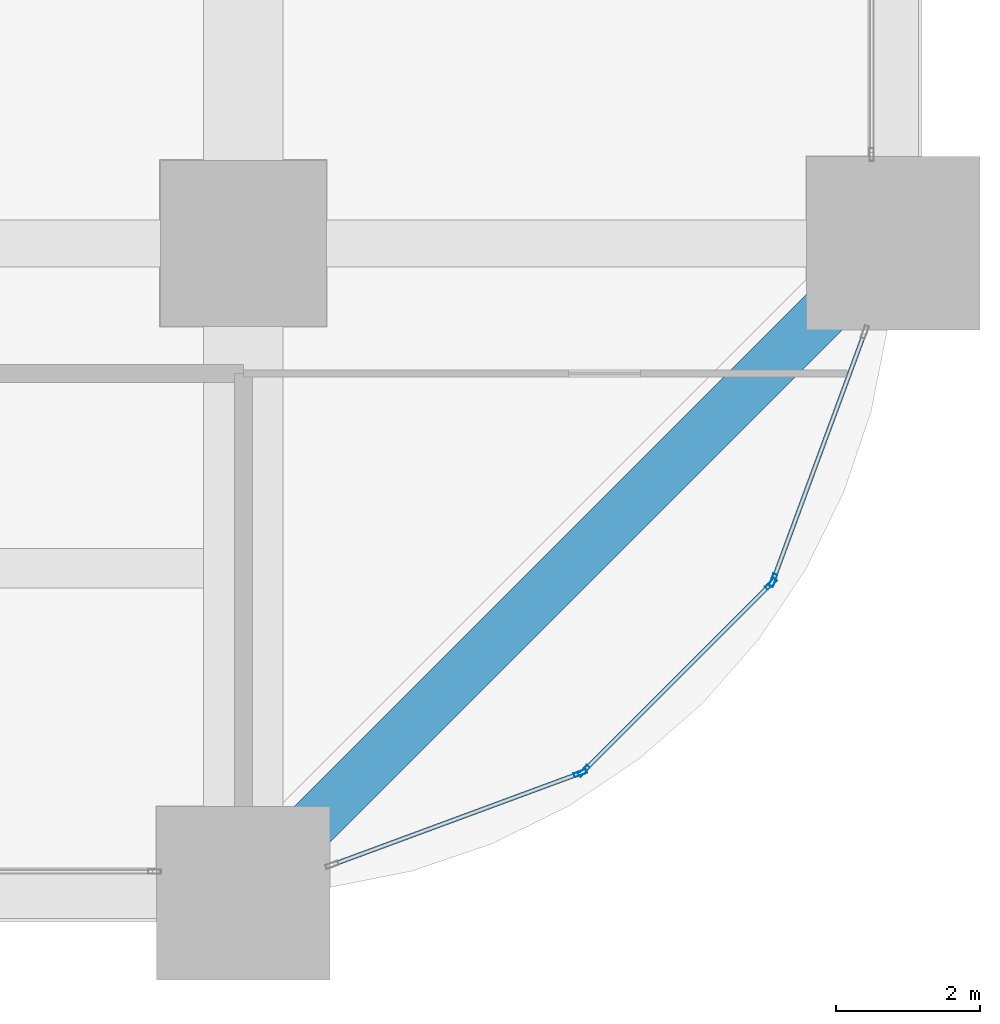
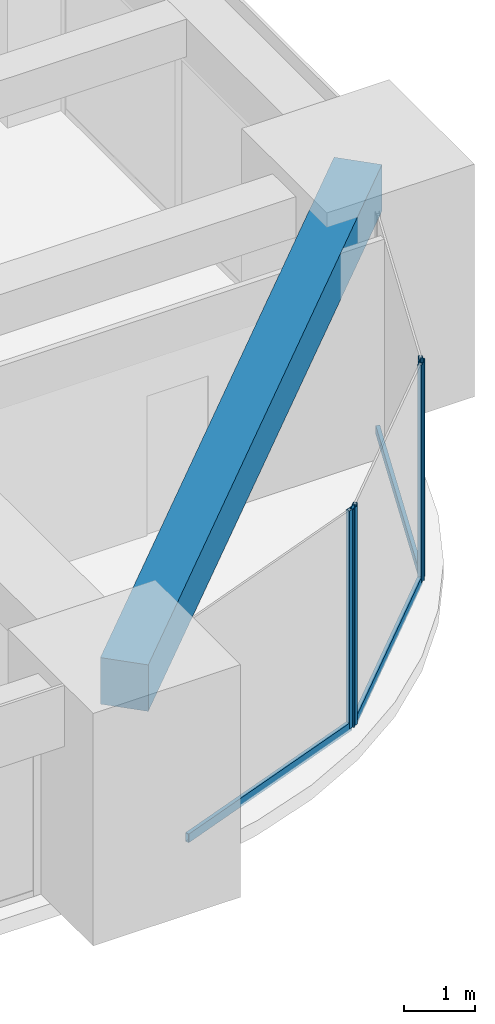
# One storey, part 16 of 44: 7 members, 1 beam, 3 elements without a shape of their own.
"""IFC4 building model written with IfcOpenShell, lengths in metres."""

from ifc_helpers import new_model, si_unit, direction, frame, origin, origin_2d, place, context, subcontext, project, spatial, rectangle, hollow_rectangle, extrude, material, material_profile, profile_set, type_object, element, aggregate, save


model = new_model("IFC4")

# Units and contexts
model_context = context("Model", 3, precision=1e-05, world=origin(), true_north=direction((0.0, 1.0)))
body_context = subcontext(model_context, "Body", "Model", "MODEL_VIEW")
ifc_project = project(units=[si_unit("LENGTHUNIT", "METRE"), si_unit("AREAUNIT", "SQUARE_METRE"), si_unit("VOLUMEUNIT", "CUBIC_METRE"), si_unit("PLANEANGLEUNIT", "RADIAN"), si_unit("MASSUNIT", "GRAM", prefix="KILO")], contexts=[model_context])

# Site, building, storey
site_placement = place(None, origin())
site = spatial("IfcSite", under=ifc_project, at=site_placement, CompositionType="ELEMENT")
building_placement = place(site_placement, origin())
building = spatial("IfcBuilding", under=site, at=building_placement, Name="Zorevar Civic Tower", CompositionType="ELEMENT")
storey_placement = place(building_placement, frame((0.0, 0.0, 31.800048828125)))
storey = spatial("IfcBuildingStorey", under=building, at=storey_placement, Name="L07", CompositionType="ELEMENT", Elevation=31.800048828125)

# Curtain wall, member
ifc_material_1 = material(Name="Dark grey solar-control glass in black aluminium frame", Category="aluminium")
curtain_wall_type = type_object("IfcCurtainWallType", Name="Curtain wall CW2 low zone", PredefinedType="NOTDEFINED", material=ifc_material_1)
curtain_wall_1_placement = place(storey_placement, origin())
curtain_wall_1 = element("IfcCurtainWall", 1, at=curtain_wall_1_placement, inside=storey, type_object=curtain_wall_type, Name="CW2 L07", PredefinedType="NOTDEFINED")
ifc_material_2 = material(Name="Aluminium, black anodised", Category="aluminium")
ifc_material_profile_1 = material_profile(ifc_material_2, hollow_rectangle(XDim=0.06005859375, YDim=0.179931640625, WallThickness=0.00390625, at=origin_2d()), Name="AL 180x60x4")
ifc_profile_set_1 = profile_set([ifc_material_profile_1], Name="Aluminium, black anodised")
member_type_1 = type_object("IfcMemberType", Name="CW2 mullion AL 180x60x4", PredefinedType="MULLION", material=ifc_profile_set_1)
member_1_placement = place(storey_placement, frame((58.66455078125, 1.663818359375, 0.0), z_axis=(0.0, 0.0, 1.0), x_axis=(-0.346704012033, 0.937974588163, 0.0)))
member_1 = element("IfcMember", 2, at=member_1_placement, type_object=member_type_1, Name="CW2 mullion 2", PredefinedType="MULLION", context=body_context, shape_type="SweptSolid", body=[
    extrude(hollow_rectangle(XDim=0.06005859375, YDim=0.179931640625, WallThickness=0.00390625, at=origin_2d()), origin(), (0.0, 0.0, 1.0), 3.75),
])

# Curtain wall, members
curtain_wall_2_placement = place(storey_placement, origin())
curtain_wall_2 = element("IfcCurtainWall", 3, at=curtain_wall_2_placement, inside=storey, type_object=curtain_wall_type, Name="CW2 L07", PredefinedType="NOTDEFINED")
member_2_placement = place(storey_placement, frame((58.7138671875, 1.6953125, 0.0), z_axis=(0.0, 0.0, 1.0), x_axis=(-0.707106781187, 0.707106781187, 0.0)))
member_2 = element("IfcMember", 4, at=member_2_placement, type_object=member_type_1, Name="CW2 mullion 1", PredefinedType="MULLION", context=body_context, shape_type="SweptSolid", body=[
    extrude(hollow_rectangle(XDim=0.06005859375, YDim=0.179931640625, WallThickness=0.00390625, at=origin_2d()), origin(), (0.0, 0.0, 1.0), 3.75),
])
member_3_placement = place(storey_placement, frame((61.3046875, 4.2861328125, 0.0), z_axis=(0.0, 0.0, 1.0), x_axis=(-0.707106781187, 0.707106781187, 0.0)))
member_3 = element("IfcMember", 5, at=member_3_placement, type_object=member_type_1, Name="CW2 mullion 2", PredefinedType="MULLION", context=body_context, shape_type="SweptSolid", body=[
    extrude(hollow_rectangle(XDim=0.06005859375, YDim=0.179931640625, WallThickness=0.00390625, at=origin_2d()), origin(), (0.0, 0.0, 1.0), 3.75),
])

# Curtain wall, member
curtain_wall_3_placement = place(storey_placement, origin())
curtain_wall_3 = element("IfcCurtainWall", 6, at=curtain_wall_3_placement, inside=storey, type_object=curtain_wall_type, Name="CW2 L07", PredefinedType="NOTDEFINED")
member_4_placement = place(storey_placement, frame((61.336181640625, 4.33544921875, 0.0), z_axis=(0.0, 0.0, 1.0), x_axis=(-0.937974588163, 0.346704012033, 0.0)))
member_4 = element("IfcMember", 7, at=member_4_placement, type_object=member_type_1, Name="CW2 mullion 1", PredefinedType="MULLION", context=body_context, shape_type="SweptSolid", body=[
    extrude(hollow_rectangle(XDim=0.06005859375, YDim=0.179931640625, WallThickness=0.00390625, at=origin_2d()), origin(), (0.0, 0.0, 1.0), 3.75),
])

# Member
ifc_material_3 = material(Name="Aluminium, black anodised", Category="aluminium")
ifc_material_profile_2 = material_profile(ifc_material_3, hollow_rectangle(XDim=0.06005859375, YDim=0.14990234375, WallThickness=0.00390625, at=origin_2d()), Name="AL 150x60x4")
ifc_profile_set_2 = profile_set([ifc_material_profile_2], Name="Aluminium, black anodised")
member_type_2 = type_object("IfcMemberType", Name="CW2 transom AL 150x60x4", PredefinedType="USERDEFINED", material=ifc_profile_set_2)
member_5_placement = place(storey_placement, frame((55.25634765625, 0.404052734375, 0.030029296875), z_axis=(0.93798635741, 0.346672169799, 0.0), x_axis=(-0.346672169799, 0.93798635741, 0.0)))
member_5 = element("IfcMember", 8, at=member_5_placement, type_object=member_type_2, Name="CW2 sill transom", ObjectType="TRANSOM", PredefinedType="USERDEFINED", context=body_context, shape_type="SweptSolid", body=[
    extrude(hollow_rectangle(XDim=0.06005859375, YDim=0.14990234375, WallThickness=0.00390625, at=origin_2d()), origin(), (0.0, 0.0, 1.0), 3.603515625),
])

aggregate(curtain_wall_1, [member_1, member_5])

member_6_placement = place(storey_placement, frame((58.735107421875, 1.716552734375, 0.030029296875), z_axis=(0.707106781187, 0.707106781187, 0.0), x_axis=(-0.707106781187, 0.707106781187, 0.0)))
member_6 = element("IfcMember", 9, at=member_6_placement, type_object=member_type_2, Name="CW2 sill transom", ObjectType="TRANSOM", PredefinedType="USERDEFINED", context=body_context, shape_type="SweptSolid", body=[
    extrude(hollow_rectangle(XDim=0.06005859375, YDim=0.14990234375, WallThickness=0.00390625, at=origin_2d()), origin(), (0.0, 0.0, 1.0), 3.60400390625),
])

aggregate(curtain_wall_2, [member_2, member_3, member_6])

member_7_placement = place(storey_placement, frame((61.3466796875, 4.363525390625, 0.030029296875), z_axis=(0.346672169799, 0.93798635741, 0.0), x_axis=(-0.93798635741, 0.346672169799, 0.0)))
member_7 = element("IfcMember", 10, at=member_7_placement, type_object=member_type_2, Name="CW2 sill transom", ObjectType="TRANSOM", PredefinedType="USERDEFINED", context=body_context, shape_type="SweptSolid", body=[
    extrude(hollow_rectangle(XDim=0.06005859375, YDim=0.14990234375, WallThickness=0.00390625, at=origin_2d()), origin(), (0.0, 0.0, 1.0), 3.603515625),
])

aggregate(curtain_wall_3, [member_4, member_7])

# Beam
ifc_material_4 = material(Name="Concrete C50/60", Category="concrete")
ifc_material_profile_3 = material_profile(ifc_material_4, rectangle(XDim=0.699951171875, YDim=0.800048828125, at=origin_2d()), Name="RC 700x800")
ifc_profile_set_3 = profile_set([ifc_material_profile_3], Name="Concrete C50/60")
beam_type = type_object("IfcBeamType", Name="Edge beam RC 700x800", PredefinedType="SPANDREL", material=ifc_profile_set_3)
beam_placement = place(storey_placement, frame((54.0, 0.0, 3.349853515625), z_axis=(0.707106781187, 0.707106781187, 0.0), x_axis=(-0.707106781187, 0.707106781187, 0.0)))
element("IfcBeam", 11, at=beam_placement, inside=storey, type_object=beam_type, Name="Corner edge beam L08", PredefinedType="SPANDREL", context=body_context, shape_type="SweptSolid", body=[
    extrude(rectangle(XDim=0.699951171875, YDim=0.800048828125, at=origin_2d()), origin(), (0.0, 0.0, 1.0), 12.72802734375),
])

save(model, "model.ifc")
